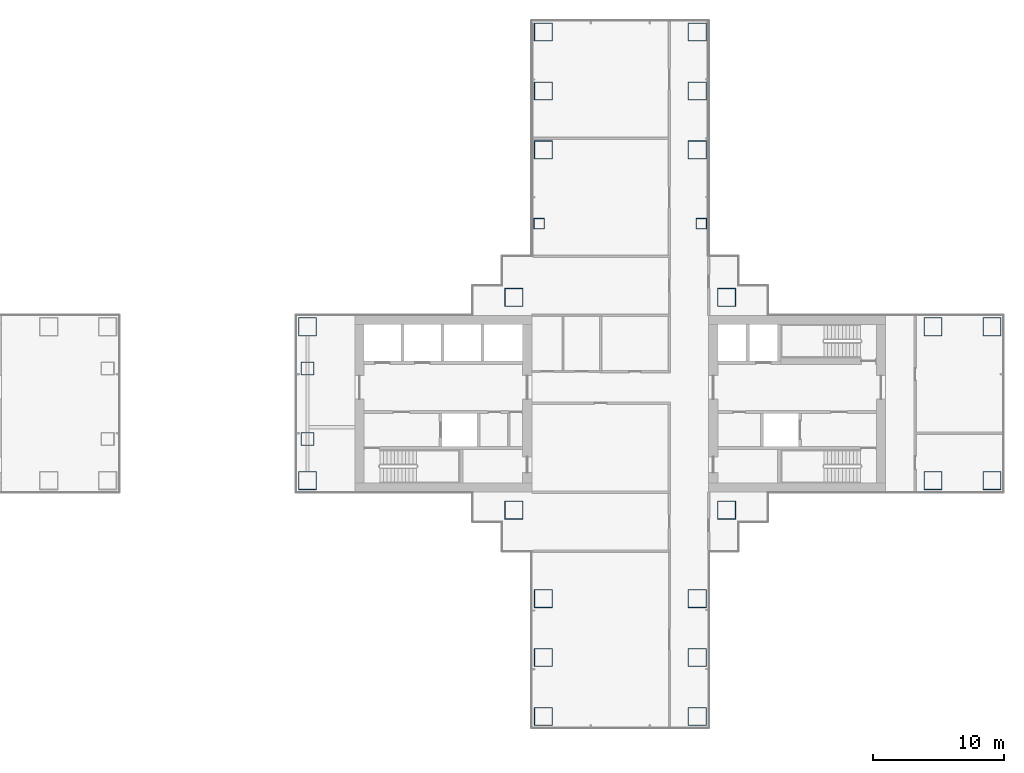
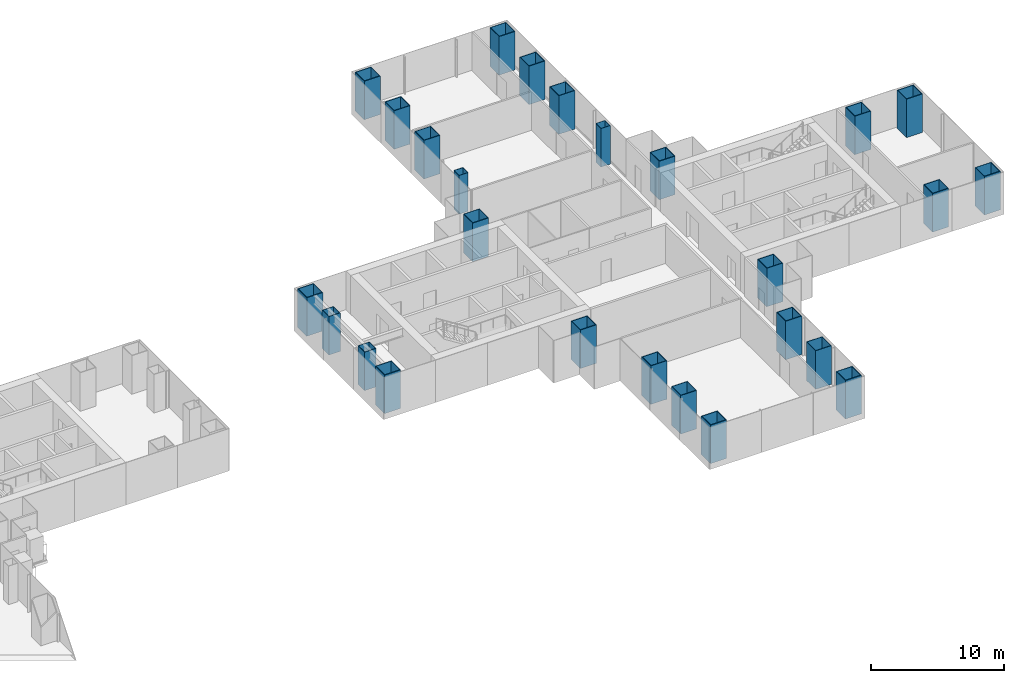
# One storey, part 2 of 21: 26 columns.
"""IFC4 building model written with IfcOpenShell, lengths in metres."""

from ifc_helpers import new_model, si_unit, direction, frame, origin, origin_2d, place, context, subcontext, project, spatial, hollow_rectangle, extrude, material, material_profile, profile_set, type_object, element, save


model = new_model("IFC4")

# Units and contexts
model_context = context("Model", 3, precision=1e-05, world=origin(), true_north=direction((0.0, 1.0)))
body_context = subcontext(model_context, "Body", "Model", "MODEL_VIEW")
ifc_project = project(units=[si_unit("LENGTHUNIT", "METRE"), si_unit("AREAUNIT", "SQUARE_METRE"), si_unit("VOLUMEUNIT", "CUBIC_METRE"), si_unit("PLANEANGLEUNIT", "RADIAN"), si_unit("MASSUNIT", "GRAM", prefix="KILO")], contexts=[model_context])

# Site, building, storey
site_placement = place(None, origin())
site = spatial("IfcSite", under=ifc_project, at=site_placement, CompositionType="ELEMENT")
building_placement = place(site_placement, origin())
building = spatial("IfcBuilding", under=site, at=building_placement, Name="Shamsa Quay Exchange Towers", CompositionType="ELEMENT")
storey_placement = place(building_placement, frame((0.0, 0.0, 65.39990234375)))
storey = spatial("IfcBuildingStorey", under=building, at=storey_placement, Name="L14", CompositionType="ELEMENT", Elevation=65.39990234375)

# Columns
ifc_material_1 = material(Name="Concrete-filled steel tube S355 / C80/95", Category="concrete")
ifc_material_profile_1 = material_profile(ifc_material_1, hollow_rectangle(XDim=1.39990234375, YDim=1.39990234375, WallThickness=0.050048828125, at=origin_2d()), Name="CFT 1400x1400x50")
ifc_profile_set_1 = profile_set([ifc_material_profile_1], Name="Concrete-filled steel tube S355 / C80/95")
column_type_1 = type_object("IfcColumnType", Name="Column CFT 1400x1400x50", PredefinedType="COLUMN", material=ifc_profile_set_1)
for number, where, name in (
    (1, (25.625, 8.125, 0.0), "Mega column T2-CM01"),
    (2, (41.875, 8.125, 0.0), "Mega column T2-CM02"),
    (3, (25.625, -8.125, 0.0), "Mega column T2-CM03"),
    (4, (41.875, -8.125, 0.0), "Mega column T2-CM04"),
    (5, (39.625, 19.375, 0.0), "Mega column T2-CM06"),
    (6, (39.625, 23.875, 0.0), "Mega column T2-CM07"),
    (7, (39.625, 28.375, 0.0), "Mega column T2-CM08"),
    (8, (27.875, 19.375, 0.0), "Mega column T2-CM10"),
    (9, (27.875, 23.875, 0.0), "Mega column T2-CM11"),
    (10, (27.875, 28.375, 0.0), "Mega column T2-CM12"),
    (11, (39.625, -14.875, 0.0), "Mega column T2-CM13"),
    (12, (39.625, -19.375, 0.0), "Mega column T2-CM14"),
    (13, (39.625, -23.875, 0.0), "Mega column T2-CM15"),
    (14, (27.875, -14.875, 0.0), "Mega column T2-CM16"),
    (15, (27.875, -19.375, 0.0), "Mega column T2-CM17"),
    (16, (27.875, -23.875, 0.0), "Mega column T2-CM18"),
    (17, (9.875, -5.875, 0.0), "Mega column T2-CM19"),
    (18, (9.875, 5.875, 0.0), "Mega column T2-CM20"),
    (19, (57.625, -5.875, 0.0), "Mega column T2-CM21"),
    (20, (62.125, -5.875, 0.0), "Mega column T2-CM22"),
    (21, (57.625, 5.875, 0.0), "Mega column T2-CM23"),
    (22, (62.125, 5.875, 0.0), "Mega column T2-CM24"),
):
    element("IfcColumn", number, at=place(storey_placement, frame(where)), inside=storey, type_object=column_type_1, Name=name, PredefinedType="COLUMN", context=body_context, shape_type="SweptSolid", body=[
        extrude(hollow_rectangle(XDim=1.39990234375, YDim=1.39990234375, WallThickness=0.050048828125, at=origin_2d()), origin(), (0.0, 0.0, 1.0), 3.550048828125),
    ])
ifc_material_2 = material(Name="Concrete-filled steel tube S355 / C60/75", Category="concrete")
ifc_material_profile_2 = material_profile(ifc_material_2, hollow_rectangle(XDim=0.800048828125, YDim=0.800048828125, WallThickness=0.02490234375, at=origin_2d()), Name="CFT 800x800x25")
ifc_profile_set_2 = profile_set([ifc_material_profile_2], Name="Concrete-filled steel tube S355 / C60/75")
column_type_2 = type_object("IfcColumnType", Name="Column CFT 800x800x25", PredefinedType="COLUMN", material=ifc_profile_set_2)
for number, where, name in (
    (23, (39.9375, 13.75, 0.0), "Perimeter column T2-CP05"),
    (24, (27.5625, 13.75, 0.0), "Perimeter column T2-CP09"),
):
    element("IfcColumn", number, at=place(storey_placement, frame(where)), inside=storey, type_object=column_type_2, Name=name, PredefinedType="COLUMN", context=body_context, shape_type="SweptSolid", body=[
        extrude(hollow_rectangle(XDim=0.800048828125, YDim=0.800048828125, WallThickness=0.02490234375, at=origin_2d()), origin(), (0.0, 0.0, 1.0), 3.550048828125),
    ])
ifc_material_3 = material(Name="Concrete-filled steel tube S355 / C70/85", Category="concrete")
ifc_material_profile_3 = material_profile(ifc_material_3, hollow_rectangle(XDim=1.0, YDim=1.0, WallThickness=0.0400390625, at=origin_2d()), Name="CFT 1000x1000x40")
ifc_profile_set_3 = profile_set([ifc_material_profile_3], Name="Concrete-filled steel tube S355 / C70/85")
column_type_3 = type_object("IfcColumnType", Name="Landing column CFT 1000x1000x40", PredefinedType="COLUMN", material=ifc_profile_set_3)
for number, where, name in (
    (25, (9.875, -2.699951171875, 0.0), "Landing column T2 S"),
    (26, (9.875, 2.699951171875, 0.0), "Landing column T2 N"),
):
    element("IfcColumn", number, at=place(storey_placement, frame(where)), inside=storey, type_object=column_type_3, Name=name, PredefinedType="COLUMN", context=body_context, shape_type="SweptSolid", body=[
        extrude(hollow_rectangle(XDim=1.0, YDim=1.0, WallThickness=0.0400390625, at=origin_2d()), origin(), (0.0, 0.0, 1.0), 3.550048828125),
    ])

save(model, "model.ifc")
